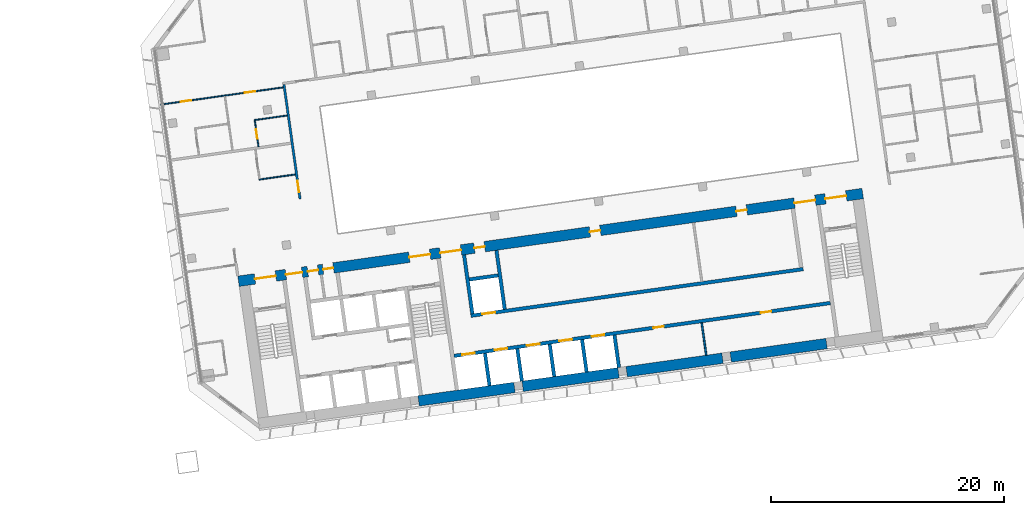
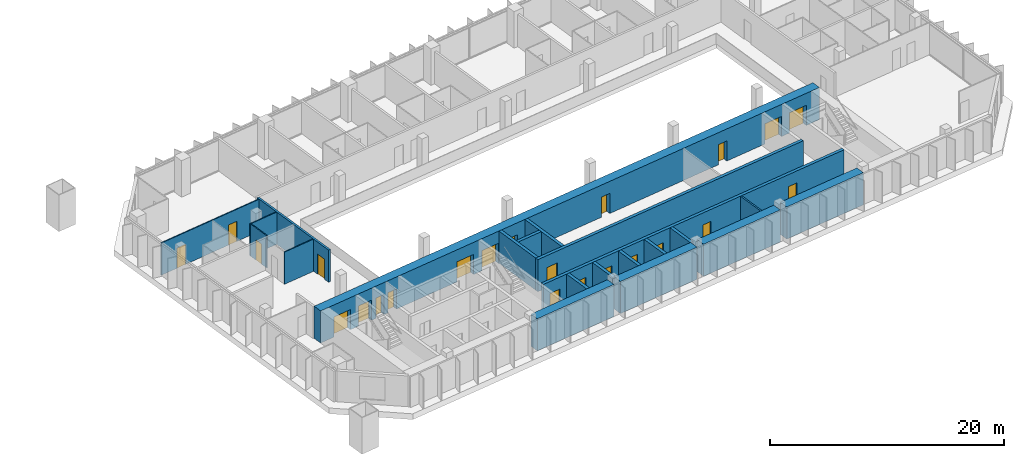
# One storey, part 19 of 24: 23 doors, 21 walls, 23 openings.
"""IFC4 building model written with IfcOpenShell, lengths in metres."""

from ifc_helpers import new_model, si_unit, direction, frame, frame_2d, origin, place, context, subcontext, project, spatial, rectangle, extrude, material, layer, layer_set, type_object, element, fill, save


model = new_model("IFC4")

# Units and contexts
model_context = context("Model", 3, precision=1e-05, world=origin(), true_north=direction((0.0, 1.0)))
body_context = subcontext(model_context, "Body", "Model", "MODEL_VIEW")
ifc_project = project(units=[si_unit("LENGTHUNIT", "METRE"), si_unit("AREAUNIT", "SQUARE_METRE"), si_unit("VOLUMEUNIT", "CUBIC_METRE"), si_unit("PLANEANGLEUNIT", "RADIAN"), si_unit("MASSUNIT", "GRAM", prefix="KILO")], contexts=[model_context])

# Site, building, storey
site_placement = place(None, origin())
site = spatial("IfcSite", under=ifc_project, at=site_placement, CompositionType="ELEMENT")
building_placement = place(site_placement, origin())
building = spatial("IfcBuilding", under=site, at=building_placement, Name="Mirante Cascada Hotel Towers", CompositionType="ELEMENT")
storey_placement = place(building_placement, frame((0.0, 0.0, 43.3)))
storey = spatial("IfcBuildingStorey", under=building, at=storey_placement, Name="L07", CompositionType="ELEMENT", Elevation=43.3)

# Wall, opening, door
ifc_material_1 = material(Name="Fire-rated plasterboard on metal studs")
ifc_layer_1 = layer(ifc_material_1, 0.2)
ifc_layer_set_1 = layer_set([ifc_layer_1], Name="Compartment wall 200 EI 120")
wall_type_1 = type_object("IfcWallType", Name="Compartment wall 200 EI 120", PredefinedType="PARTITIONING", material=ifc_layer_set_1)
wall_1_placement = place(storey_placement, frame((40.5959, -0.5108, 0.0), z_axis=(0.0, 0.0, 1.0), x_axis=(-0.1391725, 0.9902682, 0.0)))
wall_1 = element("IfcWall", 1, at=wall_1_placement, inside=storey, type_object=wall_type_1, Name="Wall 2-L07-34", PredefinedType="PARTITIONING", context=body_context, shape_type="SweptSolid", body=[
    extrude(rectangle(XDim=9.8999, YDim=0.2, at=frame_2d((4.95, 0.0))), origin(), (0.0, 0.0, 1.0), 3.35),
])
opening_1_placement = place(wall_1_placement, frame((0.5667, 0.0, 0.0)))
opening_1 = element("IfcOpeningElement", 2, at=opening_1_placement, cuts=wall_1, Name="Opening D2-L07-33", PredefinedType="OPENING", context=body_context, shape_type="SweptSolid", body=[
    extrude(rectangle(XDim=1.0, YDim=2.1, at=frame_2d((0.5, 1.05))), frame((0.0, 0.1, 0.0), z_axis=(0.0, -1.0, 0.0), x_axis=(1.0, 0.0, 0.0)), (0.0, 0.0, 1.0), 0.2),
])
ifc_material_2 = material(Name="Fire-rated timber door leaf", Category="wood")
door_type_1 = type_object("IfcDoorType", Name="Entrance door DG1 1000x2100 EI 60", OperationType="SINGLE_SWING_LEFT", PredefinedType="DOOR", material=ifc_material_2)
door_1_placement = place(opening_1_placement, origin())
door_1 = element("IfcDoor", 3, at=door_1_placement, inside=storey, type_object=door_type_1, Name="Door D2-L07-33", OperationType="SINGLE_SWING_LEFT", OverallHeight=2.1, OverallWidth=1.0, PredefinedType="DOOR", context=body_context, shape_type="SweptSolid", body=[
    extrude(rectangle(XDim=1.0, YDim=2.1, at=frame_2d((0.5, 1.05))), frame((0.0, 0.025, 0.0), z_axis=(0.0, -1.0, 0.0), x_axis=(1.0, 0.0, 0.0)), (0.0, 0.0, 1.0), 0.05),
])
fill(opening_1, door_1)

# Walls
ifc_material_3 = material(Name="Masonry block", Category="masonry")
ifc_layer_2 = layer(ifc_material_3, 0.15)
ifc_layer_set_2 = layer_set([ifc_layer_2], Name="Core room partition 150 block EI 30")
wall_type_2 = type_object("IfcWallType", Name="Core room partition 150 block EI 30", PredefinedType="PARTITIONING", material=ifc_layer_set_2)
wall_2_placement = place(storey_placement, frame((75.3976, -13.8977, 0.0), z_axis=(0.0, 0.0, 1.0), x_axis=(-0.139141, 0.9902726, 0.0)))
element("IfcWall", 4, at=wall_2_placement, inside=storey, type_object=wall_type_2, Name="Core wall partition T2 L07 5", PredefinedType="PARTITIONING", context=body_context, shape_type="SweptSolid", body=[
    extrude(rectangle(XDim=2.8, YDim=0.15, at=frame_2d((1.4, 0.0))), origin(), (0.0, 0.0, 1.0), 3.35),
])
ifc_material_4 = material(Name="Plasterboard on metal studs")
ifc_layer_3 = layer(ifc_material_4, 0.1)
ifc_layer_set_3 = layer_set([ifc_layer_3], Name="Partition 100")
wall_type_3 = type_object("IfcWallType", Name="Partition 100", PredefinedType="PARTITIONING", material=ifc_layer_set_3)
wall_3_placement = place(storey_placement, frame((37.0806, 1.1494, 0.0), z_axis=(0.0, 0.0, 1.0), x_axis=(0.9902676, 0.1391765, 0.0)))
element("IfcWall", 5, at=wall_3_placement, inside=storey, type_object=wall_type_3, Name="Wall 2-L07-10", PredefinedType="PARTITIONING", context=body_context, shape_type="SweptSolid", body=[
    extrude(rectangle(XDim=3.15, YDim=0.1, at=frame_2d((1.575, 0.0))), origin(), (0.0, 0.0, 1.0), 3.35),
])
wall_4_placement = place(storey_placement, frame((36.6679, 6.2415, 0.0), z_axis=(0.0, 0.0, 1.0), x_axis=(0.9902704, 0.1391564, 0.0)))
element("IfcWall", 6, at=wall_4_placement, inside=storey, type_object=wall_type_3, Name="Wall 2-L07-16", PredefinedType="PARTITIONING", context=body_context, shape_type="SweptSolid", body=[
    extrude(rectangle(XDim=2.85, YDim=0.1, at=frame_2d((1.425, 0.0))), origin(), (0.0, 0.0, 1.0), 3.35),
])

# Wall, openings, doors
wall_5_placement = place(storey_placement, frame((39.1515, 9.0479, 0.0), z_axis=(0.0, 0.0, 1.0), x_axis=(-0.9902671, -0.1391797, 0.0)))
wall_5 = element("IfcWall", 7, at=wall_5_placement, inside=storey, type_object=wall_type_3, Name="Wall 2-L07-17", PredefinedType="PARTITIONING", context=body_context, shape_type="SweptSolid", body=[
    extrude(rectangle(XDim=10.6, YDim=0.1, at=frame_2d((5.3, 0.0))), origin(), (0.0, 0.0, 1.0), 3.35),
])
opening_2_placement = place(wall_5_placement, frame((7.975, 0.0, 0.0)))
opening_2 = element("IfcOpeningElement", 8, at=opening_2_placement, cuts=wall_5, Name="Opening D2-L07-07", PredefinedType="OPENING", context=body_context, shape_type="SweptSolid", body=[
    extrude(rectangle(XDim=0.9, YDim=2.1, at=frame_2d((0.45, 1.05))), frame((0.0, 0.05, 0.0), z_axis=(0.0, -1.0, 0.0), x_axis=(1.0, 0.0, 0.0)), (0.0, 0.0, 1.0), 0.1),
])
opening_3_placement = place(wall_5_placement, frame((2.425, 0.0, 0.0)))
opening_3 = element("IfcOpeningElement", 9, at=opening_3_placement, cuts=wall_5, Name="Opening D2-L07-08", PredefinedType="OPENING", context=body_context, shape_type="SweptSolid", body=[
    extrude(rectangle(XDim=0.9, YDim=2.1, at=frame_2d((0.45, 1.05))), frame((0.0, 0.05, 0.0), z_axis=(0.0, -1.0, 0.0), x_axis=(1.0, 0.0, 0.0)), (0.0, 0.0, 1.0), 0.1),
])
ifc_material_5 = material(Name="Timber door leaf", Category="wood")
door_type_2 = type_object("IfcDoorType", Name="Room door DG3 900x2100", OperationType="SINGLE_SWING_LEFT", PredefinedType="DOOR", material=ifc_material_5)
door_2_placement = place(opening_2_placement, frame((0.9, 0.0, 0.0), z_axis=(0.0, 0.0, 1.0), x_axis=(-1.0, 0.0, 0.0)))
door_2 = element("IfcDoor", 10, at=door_2_placement, inside=storey, type_object=door_type_2, Name="Door D2-L07-07", OperationType="SINGLE_SWING_RIGHT", OverallHeight=2.1, OverallWidth=0.9, PredefinedType="DOOR", context=body_context, shape_type="SweptSolid", body=[
    extrude(rectangle(XDim=0.9, YDim=2.1, at=frame_2d((0.45, 1.05))), frame((0.0, 0.025, 0.0), z_axis=(0.0, -1.0, 0.0), x_axis=(1.0, 0.0, 0.0)), (0.0, 0.0, 1.0), 0.05),
])
fill(opening_2, door_2)
door_3_placement = place(opening_3_placement, frame((0.9, 0.0, 0.0), z_axis=(0.0, 0.0, 1.0), x_axis=(-1.0, 0.0, 0.0)))
door_3 = element("IfcDoor", 11, at=door_3_placement, inside=storey, type_object=door_type_2, Name="Door D2-L07-08", OperationType="SINGLE_SWING_RIGHT", OverallHeight=2.1, OverallWidth=0.9, PredefinedType="DOOR", context=body_context, shape_type="SweptSolid", body=[
    extrude(rectangle(XDim=0.9, YDim=2.1, at=frame_2d((0.45, 1.05))), frame((0.0, 0.025, 0.0), z_axis=(0.0, -1.0, 0.0), x_axis=(1.0, 0.0, 0.0)), (0.0, 0.0, 1.0), 0.05),
])
fill(opening_3, door_3)

# Wall, opening, door
wall_6_placement = place(storey_placement, frame((36.7244, 6.1989, 0.0), z_axis=(0.0, 0.0, 1.0), x_axis=(0.1391561, -0.9902705, 0.0)))
wall_6 = element("IfcWall", 12, at=wall_6_placement, inside=storey, type_object=wall_type_3, Name="Wall 2-L07-33", PredefinedType="PARTITIONING", context=body_context, shape_type="SweptSolid", body=[
    extrude(rectangle(XDim=2.25, YDim=0.1, at=frame_2d((1.125, 0.0))), origin(), (0.0, 0.0, 1.0), 3.35),
])
opening_4_placement = place(wall_6_placement, frame((0.75, 0.0, 0.0)))
opening_4 = element("IfcOpeningElement", 13, at=opening_4_placement, cuts=wall_6, Name="Opening D2-L07-32", PredefinedType="OPENING", context=body_context, shape_type="SweptSolid", body=[
    extrude(rectangle(XDim=0.8, YDim=2.1, at=frame_2d((0.4, 1.05))), frame((0.0, 0.05, 0.0), z_axis=(0.0, -1.0, 0.0), x_axis=(1.0, 0.0, 0.0)), (0.0, 0.0, 1.0), 0.1),
])
ifc_material_6 = material(Name="Timber door leaf", Category="wood")
door_type_3 = type_object("IfcDoorType", Name="Bathroom door DG4 800x2100", OperationType="SINGLE_SWING_LEFT", PredefinedType="DOOR", material=ifc_material_6)
door_4_placement = place(opening_4_placement, origin())
door_4 = element("IfcDoor", 14, at=door_4_placement, inside=storey, type_object=door_type_3, Name="Door D2-L07-32", OperationType="SINGLE_SWING_LEFT", OverallHeight=2.1, OverallWidth=0.8, PredefinedType="DOOR", context=body_context, shape_type="SweptSolid", body=[
    extrude(rectangle(XDim=0.8, YDim=2.1, at=frame_2d((0.4, 1.05))), frame((0.0, 0.025, 0.0), z_axis=(0.0, -1.0, 0.0), x_axis=(1.0, 0.0, 0.0)), (0.0, 0.0, 1.0), 0.05),
])
fill(opening_4, door_4)

# Wall, openings, doors
ifc_material_7 = material(Name="Concrete C50/60", Category="concrete")
ifc_layer_4 = layer(ifc_material_7, 0.3)
ifc_layer_set_4 = layer_set([ifc_layer_4], Name="RC core wall 300 C50/60")
wall_type_4 = type_object("IfcWallType", Name="RC core wall 300 C50/60", PredefinedType="SHEAR", material=ifc_layer_set_4)
wall_7_placement = place(storey_placement, frame((53.7953, -13.9547, 0.0), z_axis=(0.0, 0.0, 1.0), x_axis=(0.990268, 0.1391733, 0.0)))
wall_7 = element("IfcWall", 15, at=wall_7_placement, inside=storey, type_object=wall_type_4, Name="Core wall T2:L07:25", PredefinedType="SHEAR", context=body_context, shape_type="SweptSolid", body=[
    extrude(rectangle(XDim=32.5501, YDim=0.3, at=frame_2d((16.275, 0.0))), origin(), (0.0, 0.0, 1.0), 3.35),
])
opening_5_placement = place(wall_7_placement, frame((0.7, 0.0, 0.0)))
opening_5 = element("IfcOpeningElement", 16, at=opening_5_placement, cuts=wall_7, Name="Opening LD", PredefinedType="OPENING", context=body_context, shape_type="SweptSolid", body=[
    extrude(rectangle(XDim=1.1, YDim=2.1, at=frame_2d((0.55, 1.05))), frame((0.0, 0.15, 0.0), z_axis=(0.0, -1.0, 0.0), x_axis=(1.0, 0.0, 0.0)), (0.0, 0.0, 1.0), 0.3),
])
opening_6_placement = place(wall_7_placement, frame((3.5, 0.0, 0.0)))
opening_6 = element("IfcOpeningElement", 17, at=opening_6_placement, cuts=wall_7, Name="Opening LD", PredefinedType="OPENING", context=body_context, shape_type="SweptSolid", body=[
    extrude(rectangle(XDim=1.1, YDim=2.1, at=frame_2d((0.55, 1.05))), frame((0.0, 0.15, 0.0), z_axis=(0.0, -1.0, 0.0), x_axis=(1.0, 0.0, 0.0)), (0.0, 0.0, 1.0), 0.3),
])
opening_7_placement = place(wall_7_placement, frame((6.3, 0.0, 0.0)))
opening_7 = element("IfcOpeningElement", 18, at=opening_7_placement, cuts=wall_7, Name="Opening LD", PredefinedType="OPENING", context=body_context, shape_type="SweptSolid", body=[
    extrude(rectangle(XDim=1.1, YDim=2.1, at=frame_2d((0.55, 1.05))), frame((0.0, 0.15, 0.0), z_axis=(0.0, -1.0, 0.0), x_axis=(1.0, 0.0, 0.0)), (0.0, 0.0, 1.0), 0.3),
])
opening_8_placement = place(wall_7_placement, frame((9.1, 0.0, 0.0)))
opening_8 = element("IfcOpeningElement", 19, at=opening_8_placement, cuts=wall_7, Name="Opening LD", PredefinedType="OPENING", context=body_context, shape_type="SweptSolid", body=[
    extrude(rectangle(XDim=1.1, YDim=2.1, at=frame_2d((0.55, 1.05))), frame((0.0, 0.15, 0.0), z_axis=(0.0, -1.0, 0.0), x_axis=(1.0, 0.0, 0.0)), (0.0, 0.0, 1.0), 0.3),
])
opening_9_placement = place(wall_7_placement, frame((11.9, 0.0, 0.0)))
opening_9 = element("IfcOpeningElement", 20, at=opening_9_placement, cuts=wall_7, Name="Opening LD", PredefinedType="OPENING", context=body_context, shape_type="SweptSolid", body=[
    extrude(rectangle(XDim=1.1, YDim=2.1, at=frame_2d((0.55, 1.05))), frame((0.0, 0.15, 0.0), z_axis=(0.0, -1.0, 0.0), x_axis=(1.0, 0.0, 0.0)), (0.0, 0.0, 1.0), 0.3),
])
opening_10_placement = place(wall_7_placement, frame((17.25, 0.0, 0.0)))
opening_10 = element("IfcOpeningElement", 21, at=opening_10_placement, cuts=wall_7, Name="Opening D2-07-C26", PredefinedType="OPENING", context=body_context, shape_type="SweptSolid", body=[
    extrude(rectangle(XDim=0.9, YDim=2.1, at=frame_2d((0.45, 1.05))), frame((0.0, 0.15, 0.0), z_axis=(0.0, -1.0, 0.0), x_axis=(1.0, 0.0, 0.0)), (0.0, 0.0, 1.0), 0.3),
])
opening_11_placement = place(wall_7_placement, frame((26.525, 0.0, 0.0)))
opening_11 = element("IfcOpeningElement", 22, at=opening_11_placement, cuts=wall_7, Name="Opening D2-07-C27", PredefinedType="OPENING", context=body_context, shape_type="SweptSolid", body=[
    extrude(rectangle(XDim=0.9, YDim=2.1, at=frame_2d((0.45, 1.05))), frame((0.0, 0.15, 0.0), z_axis=(0.0, -1.0, 0.0), x_axis=(1.0, 0.0, 0.0)), (0.0, 0.0, 1.0), 0.3),
])
ifc_material_8 = material(Name="Hollow metal fire door leaf")
door_type_4 = type_object("IfcDoorType", Name="Fire door 900x2100 FD60", OperationType="NOTDEFINED", PredefinedType="DOOR", material=ifc_material_8)
door_5_placement = place(opening_10_placement, frame((0.9, 0.0, 0.0), z_axis=(0.0, 0.0, 1.0), x_axis=(-1.0, 0.0, 0.0)))
door_5 = element("IfcDoor", 23, at=door_5_placement, inside=storey, type_object=door_type_4, Name="Room door T2 L07 26", OperationType="SINGLE_SWING_RIGHT", OverallHeight=2.1, OverallWidth=0.9, PredefinedType="DOOR", context=body_context, shape_type="SweptSolid", body=[
    extrude(rectangle(XDim=0.9, YDim=2.1, at=frame_2d((0.45, 1.05))), frame((0.0, 0.025, 0.0), z_axis=(0.0, -1.0, 0.0), x_axis=(1.0, 0.0, 0.0)), (0.0, 0.0, 1.0), 0.05),
])
fill(opening_10, door_5)
door_6_placement = place(opening_11_placement, frame((0.9, 0.0, 0.0), z_axis=(0.0, 0.0, 1.0), x_axis=(-1.0, 0.0, 0.0)))
door_6 = element("IfcDoor", 24, at=door_6_placement, inside=storey, type_object=door_type_4, Name="Room door T2 L07 27", OperationType="SINGLE_SWING_RIGHT", OverallHeight=2.1, OverallWidth=0.9, PredefinedType="DOOR", context=body_context, shape_type="SweptSolid", body=[
    extrude(rectangle(XDim=0.9, YDim=2.1, at=frame_2d((0.45, 1.05))), frame((0.0, 0.025, 0.0), z_axis=(0.0, -1.0, 0.0), x_axis=(1.0, 0.0, 0.0)), (0.0, 0.0, 1.0), 0.05),
])
fill(opening_11, door_6)
ifc_material_9 = material(Name="Stainless steel", Category="steel")
door_type_5 = type_object("IfcDoorType", Name="Lift landing door 1100x2100 EI 120", OperationType="DOUBLE_DOOR_SLIDING", PredefinedType="DOOR", material=ifc_material_9)
door_7_placement = place(opening_5_placement, origin())
door_7 = element("IfcDoor", 25, at=door_7_placement, inside=storey, type_object=door_type_5, Name="Lift landing door LR2-1 L07", OperationType="DOUBLE_DOOR_SLIDING", OverallHeight=2.1, OverallWidth=1.1, PredefinedType="DOOR", context=body_context, shape_type="SweptSolid", body=[
    extrude(rectangle(XDim=0.545, YDim=2.1, at=frame_2d((0.2725, 1.05))), frame((0.0, 0.025, 0.0), z_axis=(0.0, -1.0, 0.0), x_axis=(1.0, 0.0, 0.0)), (0.0, 0.0, 1.0), 0.05),
    extrude(rectangle(XDim=0.545, YDim=2.1, at=frame_2d((0.8275, 1.05))), frame((0.0, 0.025, 0.0), z_axis=(0.0, -1.0, 0.0), x_axis=(1.0, 0.0, 0.0)), (0.0, 0.0, 1.0), 0.05),
])
fill(opening_5, door_7)
door_8_placement = place(opening_6_placement, origin())
door_8 = element("IfcDoor", 26, at=door_8_placement, inside=storey, type_object=door_type_5, Name="Lift landing door LR2-2 L07", OperationType="DOUBLE_DOOR_SLIDING", OverallHeight=2.1, OverallWidth=1.1, PredefinedType="DOOR", context=body_context, shape_type="SweptSolid", body=[
    extrude(rectangle(XDim=0.545, YDim=2.1, at=frame_2d((0.2725, 1.05))), frame((0.0, 0.025, 0.0), z_axis=(0.0, -1.0, 0.0), x_axis=(1.0, 0.0, 0.0)), (0.0, 0.0, 1.0), 0.05),
    extrude(rectangle(XDim=0.545, YDim=2.1, at=frame_2d((0.8275, 1.05))), frame((0.0, 0.025, 0.0), z_axis=(0.0, -1.0, 0.0), x_axis=(1.0, 0.0, 0.0)), (0.0, 0.0, 1.0), 0.05),
])
fill(opening_6, door_8)
door_9_placement = place(opening_7_placement, origin())
door_9 = element("IfcDoor", 27, at=door_9_placement, inside=storey, type_object=door_type_5, Name="Lift landing door SV2-1 L07", OperationType="DOUBLE_DOOR_SLIDING", OverallHeight=2.1, OverallWidth=1.1, PredefinedType="DOOR", context=body_context, shape_type="SweptSolid", body=[
    extrude(rectangle(XDim=0.545, YDim=2.1, at=frame_2d((0.2725, 1.05))), frame((0.0, 0.025, 0.0), z_axis=(0.0, -1.0, 0.0), x_axis=(1.0, 0.0, 0.0)), (0.0, 0.0, 1.0), 0.05),
    extrude(rectangle(XDim=0.545, YDim=2.1, at=frame_2d((0.8275, 1.05))), frame((0.0, 0.025, 0.0), z_axis=(0.0, -1.0, 0.0), x_axis=(1.0, 0.0, 0.0)), (0.0, 0.0, 1.0), 0.05),
])
fill(opening_7, door_9)
door_10_placement = place(opening_8_placement, origin())
door_10 = element("IfcDoor", 28, at=door_10_placement, inside=storey, type_object=door_type_5, Name="Lift landing door SV2-2 L07", OperationType="DOUBLE_DOOR_SLIDING", OverallHeight=2.1, OverallWidth=1.1, PredefinedType="DOOR", context=body_context, shape_type="SweptSolid", body=[
    extrude(rectangle(XDim=0.545, YDim=2.1, at=frame_2d((0.2725, 1.05))), frame((0.0, 0.025, 0.0), z_axis=(0.0, -1.0, 0.0), x_axis=(1.0, 0.0, 0.0)), (0.0, 0.0, 1.0), 0.05),
    extrude(rectangle(XDim=0.545, YDim=2.1, at=frame_2d((0.8275, 1.05))), frame((0.0, 0.025, 0.0), z_axis=(0.0, -1.0, 0.0), x_axis=(1.0, 0.0, 0.0)), (0.0, 0.0, 1.0), 0.05),
])
fill(opening_8, door_10)
door_11_placement = place(opening_9_placement, origin())
door_11 = element("IfcDoor", 29, at=door_11_placement, inside=storey, type_object=door_type_5, Name="Lift landing door SV2-3 L07", OperationType="DOUBLE_DOOR_SLIDING", OverallHeight=2.1, OverallWidth=1.1, PredefinedType="DOOR", context=body_context, shape_type="SweptSolid", body=[
    extrude(rectangle(XDim=0.545, YDim=2.1, at=frame_2d((0.2725, 1.05))), frame((0.0, 0.025, 0.0), z_axis=(0.0, -1.0, 0.0), x_axis=(1.0, 0.0, 0.0)), (0.0, 0.0, 1.0), 0.05),
    extrude(rectangle(XDim=0.545, YDim=2.1, at=frame_2d((0.8275, 1.05))), frame((0.0, 0.025, 0.0), z_axis=(0.0, -1.0, 0.0), x_axis=(1.0, 0.0, 0.0)), (0.0, 0.0, 1.0), 0.05),
])
fill(opening_9, door_11)

# Walls
for number, where, z_axis, x_axis, name in (
    (30, (56.8301, -16.5072, 0.0), (0.0, 0.0, 1.0), (-0.139176, 0.9902677, 0.0), "Core wall T2:L07:26"),
    (31, (59.6029, -16.1175, 0.0), (0.0, 0.0, 1.0), (-0.139176, 0.9902677, 0.0), "Core wall T2:L07:27"),
    (32, (62.3756, -15.7278, 0.0), (0.0, 0.0, 1.0), (-0.139176, 0.9902677, 0.0), "Core wall T2:L07:28"),
    (33, (65.1484, -15.3381, 0.0), (0.0, 0.0, 1.0), (-0.139176, 0.9902677, 0.0), "Core wall T2:L07:29"),
):
    element("IfcWall", number, at=place(storey_placement, frame(where, z_axis=z_axis, x_axis=x_axis)), inside=storey, type_object=wall_type_4, Name=name, PredefinedType="SHEAR", context=body_context, shape_type="SweptSolid", body=[
        extrude(rectangle(XDim=2.8001, YDim=0.3, at=frame_2d((1.4, 0.0))), origin(), (0.0, 0.0, 1.0), 3.35),
    ])
wall_8_placement = place(storey_placement, frame((67.9211, -14.9484, 0.0), z_axis=(0.0, 0.0, 1.0), x_axis=(-0.139181, 0.990267, 0.0)))
element("IfcWall", 34, at=wall_8_placement, inside=storey, type_object=wall_type_4, Name="Core wall T2:L07:30", PredefinedType="SHEAR", context=body_context, shape_type="SweptSolid", body=[
    extrude(rectangle(XDim=2.8, YDim=0.3, at=frame_2d((1.4, 0.0))), origin(), (0.0, 0.0, 1.0), 3.35),
])

# Wall, opening, door
wall_9_placement = place(storey_placement, frame((55.2315, -10.5214, 0.0), z_axis=(0.0, 0.0, 1.0), x_axis=(0.9902682, 0.1391722, 0.0)))
wall_9 = element("IfcWall", 35, at=wall_9_placement, inside=storey, type_object=wall_type_4, Name="Core wall T2:L07:32", PredefinedType="SHEAR", context=body_context, shape_type="SweptSolid", body=[
    extrude(rectangle(XDim=28.75, YDim=0.3, at=frame_2d((14.375, 0.0))), origin(), (0.0, 0.0, 1.0), 3.35),
])
opening_12_placement = place(wall_9_placement, frame((1.0, 0.0, 0.0)))
opening_12 = element("IfcOpeningElement", 36, at=opening_12_placement, cuts=wall_9, Name="Opening LD", PredefinedType="OPENING", context=body_context, shape_type="SweptSolid", body=[
    extrude(rectangle(XDim=1.1, YDim=2.1, at=frame_2d((0.55, 1.05))), frame((0.0, 0.15, 0.0), z_axis=(0.0, -1.0, 0.0), x_axis=(1.0, 0.0, 0.0)), (0.0, 0.0, 1.0), 0.3),
])
door_12_placement = place(opening_12_placement, origin())
door_12 = element("IfcDoor", 37, at=door_12_placement, inside=storey, type_object=door_type_5, Name="Lift landing door LR2-3 L07", OperationType="DOUBLE_DOOR_SLIDING", OverallHeight=2.1, OverallWidth=1.1, PredefinedType="DOOR", context=body_context, shape_type="SweptSolid", body=[
    extrude(rectangle(XDim=0.545, YDim=2.1, at=frame_2d((0.2725, 1.05))), frame((0.0, 0.025, 0.0), z_axis=(0.0, -1.0, 0.0), x_axis=(1.0, 0.0, 0.0)), (0.0, 0.0, 1.0), 0.05),
    extrude(rectangle(XDim=0.545, YDim=2.1, at=frame_2d((0.8275, 1.05))), frame((0.0, 0.025, 0.0), z_axis=(0.0, -1.0, 0.0), x_axis=(1.0, 0.0, 0.0)), (0.0, 0.0, 1.0), 0.05),
])
fill(opening_12, door_12)

# Walls
for number, where, z_axis, x_axis, name in (
    (38, (55.3592, -10.352, 0.0), (0.0, 0.0, 1.0), (-0.1391755, 0.9902677, 0.0), "Core wall T2:L07:33"),
    (39, (58.1319, -9.9623, 0.0), (0.0, 0.0, 1.0), (-0.1391755, 0.9902677, 0.0), "Core wall T2:L07:35"),
):
    element("IfcWall", number, at=place(storey_placement, frame(where, z_axis=z_axis, x_axis=x_axis)), inside=storey, type_object=wall_type_4, Name=name, PredefinedType="SHEAR", context=body_context, shape_type="SweptSolid", body=[
        extrude(rectangle(XDim=5.1, YDim=0.3, at=frame_2d((2.55, 0.0))), origin(), (0.0, 0.0, 1.0), 3.35),
    ])
wall_10_placement = place(storey_placement, frame((55.0971, -7.4098, 0.0), z_axis=(0.0, 0.0, 1.0), x_axis=(0.9902701, 0.1391586, 0.0)))
element("IfcWall", 40, at=wall_10_placement, inside=storey, type_object=wall_type_4, Name="Core wall T2:L07:36", PredefinedType="SHEAR", context=body_context, shape_type="SweptSolid", body=[
    extrude(rectangle(XDim=2.5, YDim=0.3, at=frame_2d((1.25, 0.0))), origin(), (0.0, 0.0, 1.0), 3.35),
])
ifc_material_10 = material(Name="Concrete C50/60", Category="concrete")
ifc_layer_5 = layer(ifc_material_10, 0.9)
ifc_layer_set_5 = layer_set([ifc_layer_5], Name="RC core wall 900 C50/60")
wall_type_5 = type_object("IfcWallType", Name="RC core wall 900 C50/60", PredefinedType="SHEAR", material=ifc_layer_set_5)
for number, where, z_axis, x_axis, name in (
    (41, (50.7531, -17.8156, 0.0), (0.0, 0.0, 1.0), (0.9902686, 0.1391692, 0.0), "Core wall T2:L07:1.3"),
    (42, (59.6655, -16.5631, 0.0), (0.0, 0.0, 1.0), (0.9902686, 0.1391692, 0.0), "Core wall T2:L07:1.4"),
    (43, (68.5779, -15.3105, 0.0), (0.0, 0.0, 1.0), (0.9902686, 0.1391692, 0.0), "Core wall T2:L07:1.5"),
    (44, (77.4903, -14.058, 0.0), (0.0, 0.0, 1.0), (0.990267, 0.139181, 0.0), "Core wall T2:L07:1.6"),
):
    element("IfcWall", number, at=place(storey_placement, frame(where, z_axis=z_axis, x_axis=x_axis)), inside=storey, type_object=wall_type_5, Name=name, PredefinedType="SHEAR", context=body_context, shape_type="SweptSolid", body=[
        extrude(rectangle(XDim=8.3, YDim=0.9, at=frame_2d((4.15, 0.0))), origin(), (0.0, 0.0, 1.0), 3.35),
    ])

# Wall, openings, doors
wall_11_placement = place(storey_placement, frame((35.326, -7.5629, 0.0), z_axis=(0.0, 0.0, 1.0), x_axis=(0.9902679, 0.139174, 0.0)))
wall_11 = element("IfcWall", 45, at=wall_11_placement, inside=storey, type_object=wall_type_5, Name="Core wall T2:L07:2", PredefinedType="SHEAR", context=body_context, shape_type="SweptSolid", body=[
    extrude(rectangle(XDim=54.0, YDim=0.9, at=frame_2d((27.0, 0.0))), origin(), (0.0, 0.0, 1.0), 3.35),
])
opening_13_placement = place(wall_11_placement, frame((1.425, 0.0, 0.0)))
opening_13 = element("IfcOpeningElement", 46, at=opening_13_placement, cuts=wall_11, Name="Opening D2-07-C14", PredefinedType="OPENING", context=body_context, shape_type="SweptSolid", body=[
    extrude(rectangle(XDim=1.8, YDim=2.1, at=frame_2d((0.9, 1.05))), frame((0.0, 0.45, 0.0), z_axis=(0.0, -1.0, 0.0), x_axis=(1.0, 0.0, 0.0)), (0.0, 0.0, 1.0), 0.9),
])
opening_14_placement = place(wall_11_placement, frame((14.775, 0.0, 0.0)))
opening_14 = element("IfcOpeningElement", 47, at=opening_14_placement, cuts=wall_11, Name="Opening D2-07-C16", PredefinedType="OPENING", context=body_context, shape_type="SweptSolid", body=[
    extrude(rectangle(XDim=1.8, YDim=2.1, at=frame_2d((0.9, 1.05))), frame((0.0, 0.45, 0.0), z_axis=(0.0, -1.0, 0.0), x_axis=(1.0, 0.0, 0.0)), (0.0, 0.0, 1.0), 0.9),
])
opening_15_placement = place(wall_11_placement, frame((50.775, 0.0, 0.0)))
opening_15 = element("IfcOpeningElement", 48, at=opening_15_placement, cuts=wall_11, Name="Opening D2-07-C18", PredefinedType="OPENING", context=body_context, shape_type="SweptSolid", body=[
    extrude(rectangle(XDim=1.8, YDim=2.1, at=frame_2d((0.9, 1.05))), frame((0.0, 0.45, 0.0), z_axis=(0.0, -1.0, 0.0), x_axis=(1.0, 0.0, 0.0)), (0.0, 0.0, 1.0), 0.9),
])
opening_16_placement = place(wall_11_placement, frame((4.1, 0.0, 0.0)))
opening_16 = element("IfcOpeningElement", 49, at=opening_16_placement, cuts=wall_11, Name="Opening D2-07-C19", PredefinedType="OPENING", context=body_context, shape_type="SweptSolid", body=[
    extrude(rectangle(XDim=1.4, YDim=2.1, at=frame_2d((0.7, 1.05))), frame((0.0, 0.45, 0.0), z_axis=(0.0, -1.0, 0.0), x_axis=(1.0, 0.0, 0.0)), (0.0, 0.0, 1.0), 0.9),
])
opening_17_placement = place(wall_11_placement, frame((17.45, 0.0, 0.0)))
opening_17 = element("IfcOpeningElement", 50, at=opening_17_placement, cuts=wall_11, Name="Opening D2-07-C20", PredefinedType="OPENING", context=body_context, shape_type="SweptSolid", body=[
    extrude(rectangle(XDim=1.8, YDim=2.1, at=frame_2d((0.9, 1.05))), frame((0.0, 0.45, 0.0), z_axis=(0.0, -1.0, 0.0), x_axis=(1.0, 0.0, 0.0)), (0.0, 0.0, 1.0), 0.9),
])
opening_18_placement = place(wall_11_placement, frame((48.1, 0.0, 0.0)))
opening_18 = element("IfcOpeningElement", 51, at=opening_18_placement, cuts=wall_11, Name="Opening D2-07-C21", PredefinedType="OPENING", context=body_context, shape_type="SweptSolid", body=[
    extrude(rectangle(XDim=1.8, YDim=2.1, at=frame_2d((0.9, 1.05))), frame((0.0, 0.45, 0.0), z_axis=(0.0, -1.0, 0.0), x_axis=(1.0, 0.0, 0.0)), (0.0, 0.0, 1.0), 0.9),
])
opening_19_placement = place(wall_11_placement, frame((5.9875, 0.0, 0.0)))
opening_19 = element("IfcOpeningElement", 52, at=opening_19_placement, cuts=wall_11, Name="Opening D2-07-C24", PredefinedType="OPENING", context=body_context, shape_type="SweptSolid", body=[
    extrude(rectangle(XDim=0.9, YDim=2.1, at=frame_2d((0.45, 1.05))), frame((0.0, 0.45, 0.0), z_axis=(0.0, -1.0, 0.0), x_axis=(1.0, 0.0, 0.0)), (0.0, 0.0, 1.0), 0.9),
])
opening_20_placement = place(wall_11_placement, frame((7.3125, 0.0, 0.0)))
opening_20 = element("IfcOpeningElement", 53, at=opening_20_placement, cuts=wall_11, Name="Opening D2-07-C25", PredefinedType="OPENING", context=body_context, shape_type="SweptSolid", body=[
    extrude(rectangle(XDim=0.9, YDim=2.1, at=frame_2d((0.45, 1.05))), frame((0.0, 0.45, 0.0), z_axis=(0.0, -1.0, 0.0), x_axis=(1.0, 0.0, 0.0)), (0.0, 0.0, 1.0), 0.9),
])
opening_21_placement = place(wall_11_placement, frame((20.4, 0.0, 0.0)))
opening_21 = element("IfcOpeningElement", 54, at=opening_21_placement, cuts=wall_11, Name="Opening D2-07-C28", PredefinedType="OPENING", context=body_context, shape_type="SweptSolid", body=[
    extrude(rectangle(XDim=0.9, YDim=2.1, at=frame_2d((0.45, 1.05))), frame((0.0, 0.45, 0.0), z_axis=(0.0, -1.0, 0.0), x_axis=(1.0, 0.0, 0.0)), (0.0, 0.0, 1.0), 0.9),
])
opening_22_placement = place(wall_11_placement, frame((30.4, 0.0, 0.0)))
opening_22 = element("IfcOpeningElement", 55, at=opening_22_placement, cuts=wall_11, Name="Opening D2-07-C29", PredefinedType="OPENING", context=body_context, shape_type="SweptSolid", body=[
    extrude(rectangle(XDim=0.9, YDim=2.1, at=frame_2d((0.45, 1.05))), frame((0.0, 0.45, 0.0), z_axis=(0.0, -1.0, 0.0), x_axis=(1.0, 0.0, 0.0)), (0.0, 0.0, 1.0), 0.9),
])
opening_23_placement = place(wall_11_placement, frame((43.075, 0.0, 0.0)))
opening_23 = element("IfcOpeningElement", 56, at=opening_23_placement, cuts=wall_11, Name="Opening D2-07-C30", PredefinedType="OPENING", context=body_context, shape_type="SweptSolid", body=[
    extrude(rectangle(XDim=0.9, YDim=2.1, at=frame_2d((0.45, 1.05))), frame((0.0, 0.45, 0.0), z_axis=(0.0, -1.0, 0.0), x_axis=(1.0, 0.0, 0.0)), (0.0, 0.0, 1.0), 0.9),
])
ifc_material_11 = material(Name="Hollow metal fire door leaf")
door_type_6 = type_object("IfcDoorType", Name="Double fire door 1400x2100 FD60", OperationType="DOUBLE_DOOR_SINGLE_SWING", PredefinedType="DOOR", material=ifc_material_11)
door_13_placement = place(opening_16_placement, origin())
door_13 = element("IfcDoor", 57, at=door_13_placement, inside=storey, type_object=door_type_6, Name="Exit door to gallery T2 L07 19", OperationType="DOUBLE_DOOR_SINGLE_SWING", OverallHeight=2.1, OverallWidth=1.4, PredefinedType="DOOR", context=body_context, shape_type="SweptSolid", body=[
    extrude(rectangle(XDim=0.695, YDim=2.1, at=frame_2d((0.3475, 1.05))), frame((0.0, 0.025, 0.0), z_axis=(0.0, -1.0, 0.0), x_axis=(1.0, 0.0, 0.0)), (0.0, 0.0, 1.0), 0.05),
    extrude(rectangle(XDim=0.695, YDim=2.1, at=frame_2d((1.0525, 1.05))), frame((0.0, 0.025, 0.0), z_axis=(0.0, -1.0, 0.0), x_axis=(1.0, 0.0, 0.0)), (0.0, 0.0, 1.0), 0.05),
])
fill(opening_16, door_13)
ifc_material_12 = material(Name="Hollow metal fire door leaf")
door_type_7 = type_object("IfcDoorType", Name="Double fire door 1800x2100 FD60", OperationType="DOUBLE_DOOR_SINGLE_SWING", PredefinedType="DOOR", material=ifc_material_12)
door_14_placement = place(opening_13_placement, frame((1.8, 0.0, 0.0), z_axis=(0.0, 0.0, 1.0), x_axis=(-1.0, 0.0, 0.0)))
door_14 = element("IfcDoor", 58, at=door_14_placement, inside=storey, type_object=door_type_7, Name="Exit door to gallery T2 L07 14", OperationType="DOUBLE_DOOR_SINGLE_SWING", OverallHeight=2.1, OverallWidth=1.8, PredefinedType="DOOR", context=body_context, shape_type="SweptSolid", body=[
    extrude(rectangle(XDim=0.895, YDim=2.1, at=frame_2d((0.4475, 1.05))), frame((0.0, 0.025, 0.0), z_axis=(0.0, -1.0, 0.0), x_axis=(1.0, 0.0, 0.0)), (0.0, 0.0, 1.0), 0.05),
    extrude(rectangle(XDim=0.895, YDim=2.1, at=frame_2d((1.3525, 1.05))), frame((0.0, 0.025, 0.0), z_axis=(0.0, -1.0, 0.0), x_axis=(1.0, 0.0, 0.0)), (0.0, 0.0, 1.0), 0.05),
])
fill(opening_13, door_14)
door_15_placement = place(opening_14_placement, frame((1.8, 0.0, 0.0), z_axis=(0.0, 0.0, 1.0), x_axis=(-1.0, 0.0, 0.0)))
door_15 = element("IfcDoor", 59, at=door_15_placement, inside=storey, type_object=door_type_7, Name="Exit door to gallery T2 L07 16", OperationType="DOUBLE_DOOR_SINGLE_SWING", OverallHeight=2.1, OverallWidth=1.8, PredefinedType="DOOR", context=body_context, shape_type="SweptSolid", body=[
    extrude(rectangle(XDim=0.895, YDim=2.1, at=frame_2d((0.4475, 1.05))), frame((0.0, 0.025, 0.0), z_axis=(0.0, -1.0, 0.0), x_axis=(1.0, 0.0, 0.0)), (0.0, 0.0, 1.0), 0.05),
    extrude(rectangle(XDim=0.895, YDim=2.1, at=frame_2d((1.3525, 1.05))), frame((0.0, 0.025, 0.0), z_axis=(0.0, -1.0, 0.0), x_axis=(1.0, 0.0, 0.0)), (0.0, 0.0, 1.0), 0.05),
])
fill(opening_14, door_15)
door_16_placement = place(opening_15_placement, frame((1.8, 0.0, 0.0), z_axis=(0.0, 0.0, 1.0), x_axis=(-1.0, 0.0, 0.0)))
door_16 = element("IfcDoor", 60, at=door_16_placement, inside=storey, type_object=door_type_7, Name="Exit door to gallery T2 L07 18", OperationType="DOUBLE_DOOR_SINGLE_SWING", OverallHeight=2.1, OverallWidth=1.8, PredefinedType="DOOR", context=body_context, shape_type="SweptSolid", body=[
    extrude(rectangle(XDim=0.895, YDim=2.1, at=frame_2d((0.4475, 1.05))), frame((0.0, 0.025, 0.0), z_axis=(0.0, -1.0, 0.0), x_axis=(1.0, 0.0, 0.0)), (0.0, 0.0, 1.0), 0.05),
    extrude(rectangle(XDim=0.895, YDim=2.1, at=frame_2d((1.3525, 1.05))), frame((0.0, 0.025, 0.0), z_axis=(0.0, -1.0, 0.0), x_axis=(1.0, 0.0, 0.0)), (0.0, 0.0, 1.0), 0.05),
])
fill(opening_15, door_16)
door_17_placement = place(opening_17_placement, origin())
door_17 = element("IfcDoor", 61, at=door_17_placement, inside=storey, type_object=door_type_7, Name="Exit door to gallery T2 L07 20", OperationType="DOUBLE_DOOR_SINGLE_SWING", OverallHeight=2.1, OverallWidth=1.8, PredefinedType="DOOR", context=body_context, shape_type="SweptSolid", body=[
    extrude(rectangle(XDim=0.895, YDim=2.1, at=frame_2d((0.4475, 1.05))), frame((0.0, 0.025, 0.0), z_axis=(0.0, -1.0, 0.0), x_axis=(1.0, 0.0, 0.0)), (0.0, 0.0, 1.0), 0.05),
    extrude(rectangle(XDim=0.895, YDim=2.1, at=frame_2d((1.3525, 1.05))), frame((0.0, 0.025, 0.0), z_axis=(0.0, -1.0, 0.0), x_axis=(1.0, 0.0, 0.0)), (0.0, 0.0, 1.0), 0.05),
])
fill(opening_17, door_17)
door_18_placement = place(opening_18_placement, origin())
door_18 = element("IfcDoor", 62, at=door_18_placement, inside=storey, type_object=door_type_7, Name="Exit door to gallery T2 L07 21", OperationType="DOUBLE_DOOR_SINGLE_SWING", OverallHeight=2.1, OverallWidth=1.8, PredefinedType="DOOR", context=body_context, shape_type="SweptSolid", body=[
    extrude(rectangle(XDim=0.895, YDim=2.1, at=frame_2d((0.4475, 1.05))), frame((0.0, 0.025, 0.0), z_axis=(0.0, -1.0, 0.0), x_axis=(1.0, 0.0, 0.0)), (0.0, 0.0, 1.0), 0.05),
    extrude(rectangle(XDim=0.895, YDim=2.1, at=frame_2d((1.3525, 1.05))), frame((0.0, 0.025, 0.0), z_axis=(0.0, -1.0, 0.0), x_axis=(1.0, 0.0, 0.0)), (0.0, 0.0, 1.0), 0.05),
])
fill(opening_18, door_18)
door_19_placement = place(opening_19_placement, frame((0.9, 0.0, 0.0), z_axis=(0.0, 0.0, 1.0), x_axis=(-1.0, 0.0, 0.0)))
door_19 = element("IfcDoor", 63, at=door_19_placement, inside=storey, type_object=door_type_4, Name="Room door T2 L07 24", OperationType="SINGLE_SWING_LEFT", OverallHeight=2.1, OverallWidth=0.9, PredefinedType="DOOR", context=body_context, shape_type="SweptSolid", body=[
    extrude(rectangle(XDim=0.9, YDim=2.1, at=frame_2d((0.45, 1.05))), frame((0.0, 0.025, 0.0), z_axis=(0.0, -1.0, 0.0), x_axis=(1.0, 0.0, 0.0)), (0.0, 0.0, 1.0), 0.05),
])
fill(opening_19, door_19)
door_20_placement = place(opening_20_placement, frame((0.9, 0.0, 0.0), z_axis=(0.0, 0.0, 1.0), x_axis=(-1.0, 0.0, 0.0)))
door_20 = element("IfcDoor", 64, at=door_20_placement, inside=storey, type_object=door_type_4, Name="Room door T2 L07 25", OperationType="SINGLE_SWING_LEFT", OverallHeight=2.1, OverallWidth=0.9, PredefinedType="DOOR", context=body_context, shape_type="SweptSolid", body=[
    extrude(rectangle(XDim=0.9, YDim=2.1, at=frame_2d((0.45, 1.05))), frame((0.0, 0.025, 0.0), z_axis=(0.0, -1.0, 0.0), x_axis=(1.0, 0.0, 0.0)), (0.0, 0.0, 1.0), 0.05),
])
fill(opening_20, door_20)
door_21_placement = place(opening_21_placement, frame((0.9, 0.0, 0.0), z_axis=(0.0, 0.0, 1.0), x_axis=(-1.0, 0.0, 0.0)))
door_21 = element("IfcDoor", 65, at=door_21_placement, inside=storey, type_object=door_type_4, Name="Room door T2 L07 28", OperationType="SINGLE_SWING_LEFT", OverallHeight=2.1, OverallWidth=0.9, PredefinedType="DOOR", context=body_context, shape_type="SweptSolid", body=[
    extrude(rectangle(XDim=0.9, YDim=2.1, at=frame_2d((0.45, 1.05))), frame((0.0, 0.025, 0.0), z_axis=(0.0, -1.0, 0.0), x_axis=(1.0, 0.0, 0.0)), (0.0, 0.0, 1.0), 0.05),
])
fill(opening_21, door_21)
door_22_placement = place(opening_22_placement, frame((0.9, 0.0, 0.0), z_axis=(0.0, 0.0, 1.0), x_axis=(-1.0, 0.0, 0.0)))
door_22 = element("IfcDoor", 66, at=door_22_placement, inside=storey, type_object=door_type_4, Name="Room door T2 L07 29", OperationType="SINGLE_SWING_RIGHT", OverallHeight=2.1, OverallWidth=0.9, PredefinedType="DOOR", context=body_context, shape_type="SweptSolid", body=[
    extrude(rectangle(XDim=0.9, YDim=2.1, at=frame_2d((0.45, 1.05))), frame((0.0, 0.025, 0.0), z_axis=(0.0, -1.0, 0.0), x_axis=(1.0, 0.0, 0.0)), (0.0, 0.0, 1.0), 0.05),
])
fill(opening_22, door_22)
door_23_placement = place(opening_23_placement, frame((0.9, 0.0, 0.0), z_axis=(0.0, 0.0, 1.0), x_axis=(-1.0, 0.0, 0.0)))
door_23 = element("IfcDoor", 67, at=door_23_placement, inside=storey, type_object=door_type_4, Name="Room door T2 L07 30", OperationType="SINGLE_SWING_RIGHT", OverallHeight=2.1, OverallWidth=0.9, PredefinedType="DOOR", context=body_context, shape_type="SweptSolid", body=[
    extrude(rectangle(XDim=0.9, YDim=2.1, at=frame_2d((0.45, 1.05))), frame((0.0, 0.025, 0.0), z_axis=(0.0, -1.0, 0.0), x_axis=(1.0, 0.0, 0.0)), (0.0, 0.0, 1.0), 0.05),
])
fill(opening_23, door_23)

save(model, "model.ifc")
